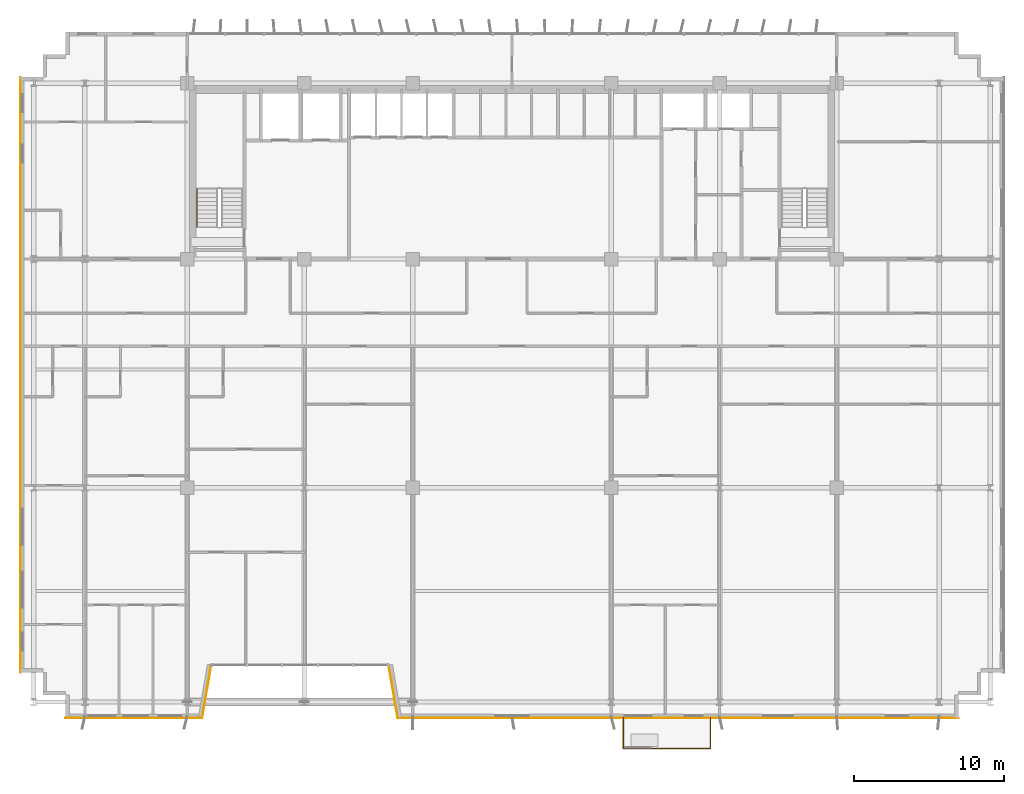
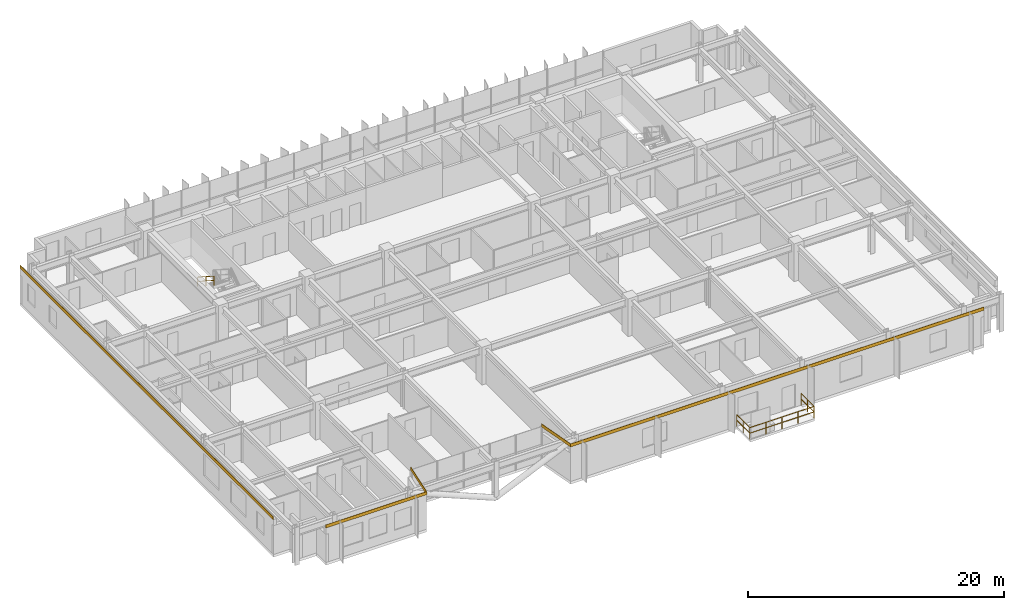
# One storey, part 23 of 25: 5 coverings, 4 railings.
"""IFC4 building model written with IfcOpenShell, lengths in metres."""

from ifc_helpers import new_model, si_unit, direction, frame, origin, origin_2d, place, context, subcontext, project, spatial, rectangle, extrude, source, transform, mapped, material, layer, layer_set, type_object, element, save


model = new_model("IFC4")

# Units and contexts
model_context = context("Model", 3, precision=1e-05, world=origin(), true_north=direction((0.0, 1.0)))
body_context = subcontext(model_context, "Body", "Model", "MODEL_VIEW")
ifc_project = project(units=[si_unit("LENGTHUNIT", "METRE"), si_unit("AREAUNIT", "SQUARE_METRE"), si_unit("VOLUMEUNIT", "CUBIC_METRE"), si_unit("PLANEANGLEUNIT", "RADIAN"), si_unit("MASSUNIT", "GRAM", prefix="KILO")], contexts=[model_context])

# Site, building, storey
site_placement = place(None, origin())
site = spatial("IfcSite", under=ifc_project, at=site_placement, CompositionType="ELEMENT")
building_placement = place(site_placement, origin())
building = spatial("IfcBuilding", under=site, at=building_placement, Name="Trelvane Seafront Commons", CompositionType="ELEMENT")
storey_placement = place(building_placement, frame((0.0, 0.0, 66.699951171875)))
storey = spatial("IfcBuildingStorey", under=building, at=storey_placement, Name="L17", CompositionType="ELEMENT", Elevation=66.699951171875)

# Railings
ifc_material_1 = material(Name="Stainless steel balustrade", Category="steel")
railing_type_1 = type_object("IfcRailingType", Name="ARCH-RAIL-BAL1150", PredefinedType="BALUSTRADE", material=ifc_material_1)
railing_1_placement = place(storey_placement, frame((44.60009765625, 2.89990234375, 0.0)))
element("IfcRailing", 1, at=railing_1_placement, inside=storey, type_object=railing_type_1, Name="RL-L17-BAL0-01", PredefinedType="BALUSTRADE", context=body_context, shape_type="SweptSolid", body=[
    extrude(rectangle(XDim=0.048095703125, YDim=0.048095703125, at=origin_2d()), frame((0.0, 0.0, 1.1259765625), z_axis=(0.0, -1.0, 0.0), x_axis=(1.0, 0.0, 0.0)), (0.0, 0.0, 1.0), 2.039794921875),
    extrude(rectangle(XDim=0.048095703125, YDim=0.048095703125, at=origin_2d()), frame((0.0, 0.0, 0.597900390625), z_axis=(0.0, -1.0, 0.0), x_axis=(1.0, 0.0, 0.0)), (0.0, 0.0, 1.0), 2.039794921875),
    extrude(rectangle(XDim=0.0419921875, YDim=0.0419921875, at=origin_2d()), origin(), (0.0, 0.0, 1.0), 1.1259765625),
    extrude(rectangle(XDim=0.0419921875, YDim=0.0419921875, at=origin_2d()), frame((0.0, -1.02001953125, 0.0)), (0.0, 0.0, 1.0), 1.1259765625),
    extrude(rectangle(XDim=0.0419921875, YDim=0.0419921875, at=origin_2d()), frame((0.0, -2.039794921875, 0.0)), (0.0, 0.0, 1.0), 1.1259765625),
])
railing_2_placement = place(storey_placement, frame((44.60009765625, 0.860107421875, 0.0)))
element("IfcRailing", 2, at=railing_2_placement, inside=storey, type_object=railing_type_1, Name="RL-L17-BAL0-02", PredefinedType="BALUSTRADE", context=body_context, shape_type="SweptSolid", body=[
    extrude(rectangle(XDim=0.048095703125, YDim=0.048095703125, at=origin_2d()), frame((0.0, 0.0, 1.1259765625), z_axis=(1.0, 0.0, 0.0), x_axis=(0.0, 1.0, 0.0)), (0.0, 0.0, 1.0), 5.7998046875),
    extrude(rectangle(XDim=0.048095703125, YDim=0.048095703125, at=origin_2d()), frame((0.0, 0.0, 0.597900390625), z_axis=(1.0, 0.0, 0.0), x_axis=(0.0, 1.0, 0.0)), (0.0, 0.0, 1.0), 5.7998046875),
    extrude(rectangle(XDim=0.0419921875, YDim=0.0419921875, at=origin_2d()), origin(), (0.0, 0.0, 1.0), 1.1259765625),
    extrude(rectangle(XDim=0.0419921875, YDim=0.0419921875, at=origin_2d()), frame((1.449951171875, 0.0, 0.0)), (0.0, 0.0, 1.0), 1.1259765625),
    extrude(rectangle(XDim=0.0419921875, YDim=0.0419921875, at=origin_2d()), frame((2.89990234375, 0.0, 0.0)), (0.0, 0.0, 1.0), 1.1259765625),
    extrude(rectangle(XDim=0.0419921875, YDim=0.0419921875, at=origin_2d()), frame((4.349853515625, 0.0, 0.0)), (0.0, 0.0, 1.0), 1.1259765625),
    extrude(rectangle(XDim=0.0419921875, YDim=0.0419921875, at=origin_2d()), frame((5.7998046875, 0.0, 0.0)), (0.0, 0.0, 1.0), 1.1259765625),
])
railing_3_placement = place(storey_placement, frame((50.39990234375, 0.860107421875, 0.0)))
element("IfcRailing", 3, at=railing_3_placement, inside=storey, type_object=railing_type_1, Name="RL-L17-BAL0-03", PredefinedType="BALUSTRADE", context=body_context, shape_type="SweptSolid", body=[
    extrude(rectangle(XDim=0.048095703125, YDim=0.048095703125, at=origin_2d()), frame((0.0, 0.0, 1.1259765625), z_axis=(0.0, 1.0, 0.0), x_axis=(-1.0, 0.0, 0.0)), (0.0, 0.0, 1.0), 2.039794921875),
    extrude(rectangle(XDim=0.048095703125, YDim=0.048095703125, at=origin_2d()), frame((0.0, 0.0, 0.597900390625), z_axis=(0.0, 1.0, 0.0), x_axis=(-1.0, 0.0, 0.0)), (0.0, 0.0, 1.0), 2.039794921875),
    extrude(rectangle(XDim=0.0419921875, YDim=0.0419921875, at=origin_2d()), origin(), (0.0, 0.0, 1.0), 1.1259765625),
    extrude(rectangle(XDim=0.0419921875, YDim=0.0419921875, at=origin_2d()), frame((0.0, 1.02001953125, 0.0)), (0.0, 0.0, 1.0), 1.1259765625),
    extrude(rectangle(XDim=0.0419921875, YDim=0.0419921875, at=origin_2d()), frame((0.0, 2.039794921875, 0.0)), (0.0, 0.0, 1.0), 1.1259765625),
])
railing_type_2 = type_object("IfcRailingType", Name="ARCH-SRL-HAND", PredefinedType="HANDRAIL", material=ifc_material_1)
railing_4_placement = place(storey_placement, frame((16.25, 38.070068359375, 1.97998046875)))
element("IfcRailing", 4, at=railing_4_placement, inside=storey, type_object=railing_type_2, Name="L17 ST-1 stair handrail 2", PredefinedType="HANDRAIL", context=body_context, shape_type="SweptSolid", body=[
    extrude(rectangle(XDim=0.048095703125, YDim=0.048095703125, at=origin_2d()), frame((0.0, 0.0, 0.8759765625), z_axis=(0.0, -0.841162588446, 0.540782303519), x_axis=(1.0, 0.0, 0.0)), (0.0, 0.0, 1.0), 2.995849609375),
    extrude(rectangle(XDim=0.048095703125, YDim=0.048095703125, at=origin_2d()), frame((0.0, 0.0, 0.468017578125), z_axis=(0.0, -0.841162588446, 0.540782303519), x_axis=(1.0, 0.0, 0.0)), (0.0, 0.0, 1.0), 2.995849609375),
    extrude(rectangle(XDim=0.0419921875, YDim=0.0419921875, at=origin_2d()), origin(), (0.0, 0.0, 1.0), 0.8759765625),
    extrude(rectangle(XDim=0.0419921875, YDim=0.0419921875, at=origin_2d()), frame((0.0, -1.260009765625, 0.81005859375)), (0.0, 0.0, 1.0), 0.8759765625),
    extrude(rectangle(XDim=0.0419921875, YDim=0.0419921875, at=origin_2d()), frame((0.0, -2.52001953125, 1.6201171875)), (0.0, 0.0, 1.0), 0.8759765625),
])

# Coverings
ifc_material_2 = material(Name="Anodised pale-silver aluminium", Category="aluminium")
ifc_layer = layer(ifc_material_2, 0.034912109375, Name="ARCH-COV-CLAD35")
ifc_layer_set = layer_set([ifc_layer], Name="Anodised pale-silver aluminium")
covering_type = type_object("IfcCoveringType", Name="ARCH-COV-CLAD35", PredefinedType="CLADDING", material=ifc_layer_set)
shared_shape_1 = source(origin(), body_context, "Body", "SweptSolid", [
    extrude(rectangle(XDim=39.60009765625, YDim=0.034912109375, at=origin_2d()), origin(), (0.0, 0.0, 1.0), 0.300048828125),
])
covering_1_placement = place(storey_placement, frame((4.5, 25.699951171875, 3.2998046875), z_axis=(0.0, 0.0, 1.0), x_axis=(0.0, 1.0, 0.0)))
element("IfcCovering", 5, at=covering_1_placement, inside=storey, type_object=covering_type, Name="CLD-L17-00079", PredefinedType="CLADDING", context=body_context, shape_type="MappedRepresentation", body=[
    mapped(shared_shape_1, transform((0.0, 0.0, 0.0), x_axis=(1.0, 0.0, 0.0), y_axis=(0.0, 1.0, 0.0), z_axis=(0.0, 0.0, 1.0), scale=1.0)),
])
shared_shape_2 = source(origin(), body_context, "Body", "SweptSolid", [
    extrude(rectangle(XDim=37.300048828125, YDim=0.034912109375, at=origin_2d()), origin(), (0.0, 0.0, 1.0), 0.300048828125),
])
covering_2_placement = place(storey_placement, frame((48.25, 2.89990234375, 3.2998046875), z_axis=(0.0, 0.0, 1.0), x_axis=(-1.0, 0.0, 0.0)))
element("IfcCovering", 6, at=covering_2_placement, inside=storey, type_object=covering_type, Name="CLD-L17-00081", PredefinedType="CLADDING", context=body_context, shape_type="MappedRepresentation", body=[
    mapped(shared_shape_2, transform((0.0, 0.0, 0.0), x_axis=(1.0, 0.0, 0.0), y_axis=(0.0, 1.0, 0.0), z_axis=(0.0, 0.0, 1.0), scale=1.0)),
])
shared_shape_3 = source(origin(), body_context, "Body", "SweptSolid", [
    extrude(rectangle(XDim=3.551025390625, YDim=0.034912109375, at=origin_2d()), origin(), (0.0, 0.0, 1.0), 0.300048828125),
])
for number, where, z_axis, x_axis, name in (
    (7, (29.300048828125, 4.64990234375, 3.2998046875), (0.0, 0.0, 1.0), (-0.168964184077, 0.985622191562, 0.0), "CLD-L17-00082"),
    (8, (16.89990234375, 4.64990234375, 3.2998046875), (0.0, 0.0, 1.0), (-0.168964184077, -0.985622191562, 0.0), "CLD-L17-00083"),
):
    element("IfcCovering", number, at=place(storey_placement, frame(where, z_axis=z_axis, x_axis=x_axis)), inside=storey, type_object=covering_type, Name=name, PredefinedType="CLADDING", context=body_context, shape_type="MappedRepresentation", body=[
        mapped(shared_shape_3, transform((0.0, 0.0, 0.0), x_axis=(1.0, 0.0, 0.0), y_axis=(0.0, 1.0, 0.0), z_axis=(0.0, 0.0, 1.0), scale=1.0)),
    ])
shared_shape_4 = source(origin(), body_context, "Body", "SweptSolid", [
    extrude(rectangle(XDim=9.10009765625, YDim=0.034912109375, at=origin_2d()), origin(), (0.0, 0.0, 1.0), 0.300048828125),
])
covering_3_placement = place(storey_placement, frame((12.050048828125, 2.89990234375, 3.2998046875), z_axis=(0.0, 0.0, 1.0), x_axis=(-1.0, 0.0, 0.0)))
element("IfcCovering", 9, at=covering_3_placement, inside=storey, type_object=covering_type, Name="CLD-L17-00084", PredefinedType="CLADDING", context=body_context, shape_type="MappedRepresentation", body=[
    mapped(shared_shape_4, transform((0.0, 0.0, 0.0), x_axis=(1.0, 0.0, 0.0), y_axis=(0.0, 1.0, 0.0), z_axis=(0.0, 0.0, 1.0), scale=1.0)),
])

save(model, "model.ifc")
